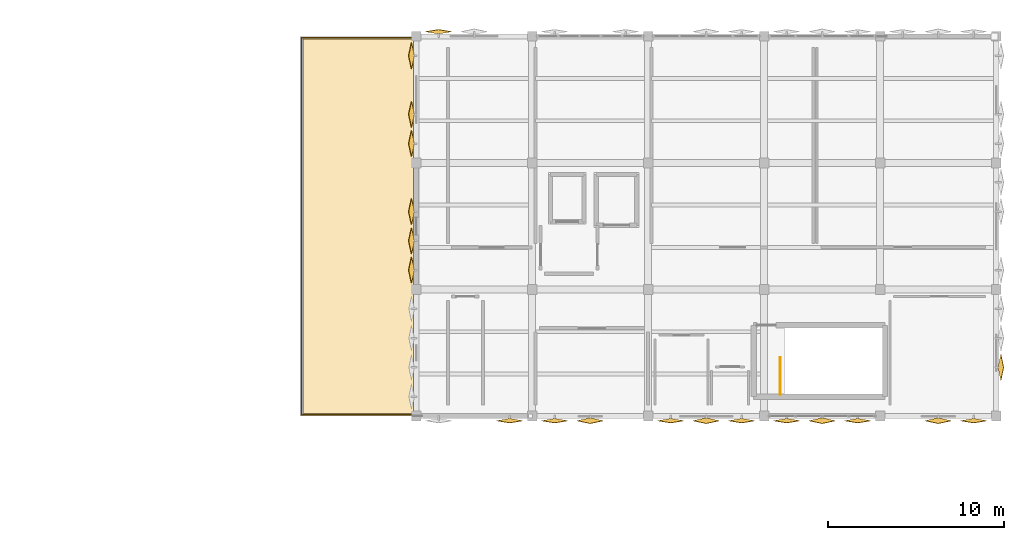
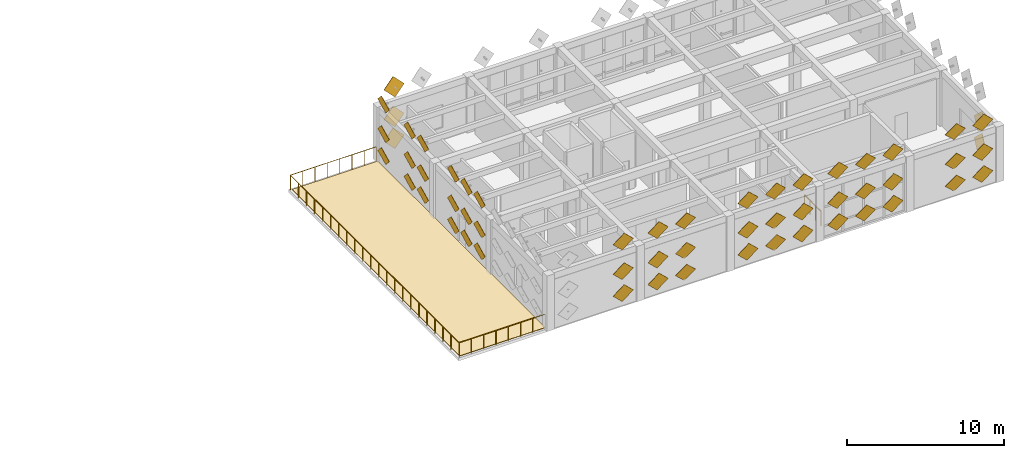
# One storey, part 28 of 29: 57 coverings, 2 railings.
"""IFC4 building model written with IfcOpenShell, lengths in metres."""

from ifc_helpers import new_model, si_unit, direction, frame, origin, origin_2d, place, context, subcontext, project, spatial, polyline, circle, outline, extrude, material, layer, layer_set, type_object, element, save


model = new_model("IFC4")

# Units and contexts
model_context = context("Model", 3, precision=1e-05, world=origin(), true_north=direction((0.0, 1.0)))
body_context = subcontext(model_context, "Body", "Model", "MODEL_VIEW")
ifc_project = project(units=[si_unit("LENGTHUNIT", "METRE"), si_unit("AREAUNIT", "SQUARE_METRE"), si_unit("VOLUMEUNIT", "CUBIC_METRE"), si_unit("PLANEANGLEUNIT", "RADIAN"), si_unit("MASSUNIT", "GRAM", prefix="KILO")], contexts=[model_context])

# Site, building, storey
site_placement = place(None, origin())
site = spatial("IfcSite", under=ifc_project, at=site_placement, CompositionType="ELEMENT")
building_placement = place(site_placement, origin())
building = spatial("IfcBuilding", under=site, at=building_placement, Name="Kharisveld Research Institute", CompositionType="ELEMENT")
storey_placement = place(building_placement, frame((0.0, 0.0, 32.10009765625)))
storey = spatial("IfcBuildingStorey", under=building, at=storey_placement, Name="L07", CompositionType="ELEMENT", Elevation=32.10009765625)

# Covering
ifc_material_1 = material(Name="High-Albedo TPO Roof Membrane", Category="mineral")
ifc_layer = layer(ifc_material_1, 0.034912109375)
ifc_layer_set = layer_set([ifc_layer], Name="CV_ROOF_EPDM")
covering_type_1 = type_object("IfcCoveringType", Name="CV_ROOF_EPDM", PredefinedType="ROOFING", material=ifc_layer_set)
covering_1_placement = place(storey_placement, origin())
element("IfcCovering", 1, at=covering_1_placement, inside=storey, type_object=covering_type_1, Name="COV:V2:L07:TERMEM", PredefinedType="ROOFING", context=body_context, shape_type="SweptSolid", body=[
    extrude(outline(polyline([(121.35009765625, 39.35009765625), (127.64990234375, 39.35009765625), (127.64990234375, 60.64990234375), (121.35009765625, 60.64990234375), (121.35009765625, 39.35009765625)])), origin(), (0.0, 0.0, 1.0), 0.034912109375),
])

# Railings
ifc_material_2 = material(Name="Steel S355JR", Category="steel")
railing_type_1 = type_object("IfcRailingType", Name="RL_GRD_STR", PredefinedType="GUARDRAIL", material=ifc_material_2)
railing_1_placement = place(storey_placement, frame((148.510009765625, 40.429931640625, 0.0)))
element("IfcRailing", 2, at=railing_1_placement, inside=storey, type_object=railing_type_1, Name="RLG:STR:ST3:L07:TOPVOID", PredefinedType="GUARDRAIL", context=body_context, shape_type="SweptSolid", body=[
    extrude(circle(Radius=0.02392578125, at=origin_2d()), frame((0.0, 0.0, 1.09619140625), z_axis=(0.0, 1.0, 0.0), x_axis=(-1.0, 0.0, 0.0)), (0.0, 0.0, 1.0), 2.10009765625),
    extrude(circle(Radius=0.02099609375, at=origin_2d()), origin(), (0.0, 0.0, 1.0), 1.072021484375),
    extrude(circle(Radius=0.02099609375, at=origin_2d()), frame((0.0, 0.699951171875, 0.0)), (0.0, 0.0, 1.0), 1.072021484375),
    extrude(circle(Radius=0.02099609375, at=origin_2d()), frame((0.0, 1.400146484375, 0.0)), (0.0, 0.0, 1.0), 1.072021484375),
    extrude(circle(Radius=0.02099609375, at=origin_2d()), frame((0.0, 2.10009765625, 0.0)), (0.0, 0.0, 1.0), 1.072021484375),
])
ifc_material_3 = material(Name="Steel S355JR", Category="steel")
railing_type_2 = type_object("IfcRailingType", Name="RL_GRD_TER", PredefinedType="GUARDRAIL", material=ifc_material_3)
railing_2_placement = place(storey_placement, frame((127.60009765625, 60.719970703125, 0.0)))
element("IfcRailing", 3, at=railing_2_placement, inside=storey, type_object=railing_type_2, Name="RLG:V2:L07:TERRACE", PredefinedType="GUARDRAIL", context=body_context, shape_type="SweptSolid", body=[
    extrude(circle(Radius=0.02392578125, at=origin_2d()), frame((0.0, 0.0, 1.1259765625), z_axis=(-1.0, 0.0, 0.0), x_axis=(0.0, -1.0, 0.0)), (0.0, 0.0, 1.0), 6.320068359375),
    extrude(circle(Radius=0.02392578125, at=origin_2d()), frame((-6.320068359375, 0.0, 1.1259765625), z_axis=(0.0, -1.0, 0.0), x_axis=(1.0, 0.0, 0.0)), (0.0, 0.0, 1.0), 21.43994140625),
    extrude(circle(Radius=0.02392578125, at=origin_2d()), frame((-6.320068359375, -21.43994140625, 1.1259765625), z_axis=(1.0, 0.0, 0.0), x_axis=(0.0, 1.0, 0.0)), (0.0, 0.0, 1.0), 6.320068359375),
    extrude(circle(Radius=0.02099609375, at=origin_2d()), origin(), (0.0, 0.0, 1.0), 1.101806640625),
    extrude(circle(Radius=0.02099609375, at=origin_2d()), frame((-0.90283203125, 0.0, 0.0)), (0.0, 0.0, 1.0), 1.101806640625),
    extrude(circle(Radius=0.02099609375, at=origin_2d()), frame((-1.8056640625, 0.0, 0.0)), (0.0, 0.0, 1.0), 1.101806640625),
    extrude(circle(Radius=0.02099609375, at=origin_2d()), frame((-2.70849609375, 0.0, 0.0)), (0.0, 0.0, 1.0), 1.101806640625),
    extrude(circle(Radius=0.02099609375, at=origin_2d()), frame((-3.611572265625, 0.0, 0.0)), (0.0, 0.0, 1.0), 1.101806640625),
    extrude(circle(Radius=0.02099609375, at=origin_2d()), frame((-4.514404296875, 0.0, 0.0)), (0.0, 0.0, 1.0), 1.101806640625),
    extrude(circle(Radius=0.02099609375, at=origin_2d()), frame((-5.417236328125, 0.0, 0.0)), (0.0, 0.0, 1.0), 1.101806640625),
    extrude(circle(Radius=0.02099609375, at=origin_2d()), frame((-6.320068359375, 0.0, 0.0)), (0.0, 0.0, 1.0), 1.101806640625),
    extrude(circle(Radius=0.02099609375, at=origin_2d()), frame((-6.320068359375, -1.02099609375, 0.0)), (0.0, 0.0, 1.0), 1.101806640625),
    extrude(circle(Radius=0.02099609375, at=origin_2d()), frame((-6.320068359375, -2.0419921875, 0.0)), (0.0, 0.0, 1.0), 1.101806640625),
    extrude(circle(Radius=0.02099609375, at=origin_2d()), frame((-6.320068359375, -3.062744140625, 0.0)), (0.0, 0.0, 1.0), 1.101806640625),
    extrude(circle(Radius=0.02099609375, at=origin_2d()), frame((-6.320068359375, -4.083740234375, 0.0)), (0.0, 0.0, 1.0), 1.101806640625),
    extrude(circle(Radius=0.02099609375, at=origin_2d()), frame((-6.320068359375, -5.104736328125, 0.0)), (0.0, 0.0, 1.0), 1.101806640625),
    extrude(circle(Radius=0.02099609375, at=origin_2d()), frame((-6.320068359375, -6.125732421875, 0.0)), (0.0, 0.0, 1.0), 1.101806640625),
    extrude(circle(Radius=0.02099609375, at=origin_2d()), frame((-6.320068359375, -7.146728515625, 0.0)), (0.0, 0.0, 1.0), 1.101806640625),
    extrude(circle(Radius=0.02099609375, at=origin_2d()), frame((-6.320068359375, -8.16748046875, 0.0)), (0.0, 0.0, 1.0), 1.101806640625),
    extrude(circle(Radius=0.02099609375, at=origin_2d()), frame((-6.320068359375, -9.1884765625, 0.0)), (0.0, 0.0, 1.0), 1.101806640625),
    extrude(circle(Radius=0.02099609375, at=origin_2d()), frame((-6.320068359375, -10.20947265625, 0.0)), (0.0, 0.0, 1.0), 1.101806640625),
    extrude(circle(Radius=0.02099609375, at=origin_2d()), frame((-6.320068359375, -11.23046875, 0.0)), (0.0, 0.0, 1.0), 1.101806640625),
    extrude(circle(Radius=0.02099609375, at=origin_2d()), frame((-6.320068359375, -12.25146484375, 0.0)), (0.0, 0.0, 1.0), 1.101806640625),
    extrude(circle(Radius=0.02099609375, at=origin_2d()), frame((-6.320068359375, -13.2724609375, 0.0)), (0.0, 0.0, 1.0), 1.101806640625),
    extrude(circle(Radius=0.02099609375, at=origin_2d()), frame((-6.320068359375, -14.293212890625, 0.0)), (0.0, 0.0, 1.0), 1.101806640625),
    extrude(circle(Radius=0.02099609375, at=origin_2d()), frame((-6.320068359375, -15.314208984375, 0.0)), (0.0, 0.0, 1.0), 1.101806640625),
    extrude(circle(Radius=0.02099609375, at=origin_2d()), frame((-6.320068359375, -16.335205078125, 0.0)), (0.0, 0.0, 1.0), 1.101806640625),
    extrude(circle(Radius=0.02099609375, at=origin_2d()), frame((-6.320068359375, -17.356201171875, 0.0)), (0.0, 0.0, 1.0), 1.101806640625),
    extrude(circle(Radius=0.02099609375, at=origin_2d()), frame((-6.320068359375, -18.377197265625, 0.0)), (0.0, 0.0, 1.0), 1.101806640625),
    extrude(circle(Radius=0.02099609375, at=origin_2d()), frame((-6.320068359375, -19.39794921875, 0.0)), (0.0, 0.0, 1.0), 1.101806640625),
    extrude(circle(Radius=0.02099609375, at=origin_2d()), frame((-6.320068359375, -20.4189453125, 0.0)), (0.0, 0.0, 1.0), 1.101806640625),
    extrude(circle(Radius=0.02099609375, at=origin_2d()), frame((-6.320068359375, -21.43994140625, 0.0)), (0.0, 0.0, 1.0), 1.101806640625),
    extrude(circle(Radius=0.02099609375, at=origin_2d()), frame((-5.417236328125, -21.43994140625, 0.0)), (0.0, 0.0, 1.0), 1.101806640625),
    extrude(circle(Radius=0.02099609375, at=origin_2d()), frame((-4.514404296875, -21.43994140625, 0.0)), (0.0, 0.0, 1.0), 1.101806640625),
    extrude(circle(Radius=0.02099609375, at=origin_2d()), frame((-3.611572265625, -21.43994140625, 0.0)), (0.0, 0.0, 1.0), 1.101806640625),
    extrude(circle(Radius=0.02099609375, at=origin_2d()), frame((-2.70849609375, -21.43994140625, 0.0)), (0.0, 0.0, 1.0), 1.101806640625),
    extrude(circle(Radius=0.02099609375, at=origin_2d()), frame((-1.8056640625, -21.43994140625, 0.0)), (0.0, 0.0, 1.0), 1.101806640625),
    extrude(circle(Radius=0.02099609375, at=origin_2d()), frame((-0.90283203125, -21.43994140625, 0.0)), (0.0, 0.0, 1.0), 1.101806640625),
    extrude(circle(Radius=0.02099609375, at=origin_2d()), frame((0.0, -21.43994140625, 0.0)), (0.0, 0.0, 1.0), 1.101806640625),
])

# Coverings
ifc_material_4 = material(Name="White Powder-Coated Perforated Aluminium", Category="aluminium")
covering_type_2 = type_object("IfcCoveringType", Name="CV_DIA_105", PredefinedType="CLADDING")
for number, where, z_axis, x_axis, name in (
    (4, (127.70068359375, 47.50244140625, 0.324951171875), (0.97631069788, 0.0, 0.216373337556), (-0.153000063457, 0.707102116981, 0.6903604687), "SHD:V2:L07:W1:S0C0"),
    (5, (127.70068359375, 47.50244140625, 2.025146484375), (0.97631069788, 0.0, 0.216373337556), (-0.153000063457, 0.707102116981, 0.6903604687), "SHD:V2:L07:W1:S0C1"),
    (6, (127.70068359375, 47.50244140625, 4.324951171875), (0.97631069788, 0.0, 0.216373337556), (-0.153000063457, 0.707102116981, 0.6903604687), "SHD:V2:L07:W1:S0C2"),
    (7, (127.70068359375, 49.16748046875, 0.324951171875), (0.97631069788, 0.0, 0.216373337556), (-0.153000063457, 0.707102116981, 0.6903604687), "SHD:V2:L07:W1:S1C0"),
    (8, (127.70068359375, 49.16748046875, 2.025146484375), (0.97631069788, 0.0, 0.216373337556), (-0.153000063457, 0.707102116981, 0.6903604687), "SHD:V2:L07:W1:S1C1"),
    (9, (127.70068359375, 49.16748046875, 4.324951171875), (0.97631069788, 0.0, 0.216373337556), (-0.153000063457, 0.707102116981, 0.6903604687), "SHD:V2:L07:W1:S1C2"),
    (10, (127.70068359375, 50.83251953125, 0.324951171875), (0.97631069788, 0.0, 0.216373337556), (-0.153000063457, 0.707102116981, 0.6903604687), "SHD:V2:L07:W1:S2C0"),
    (11, (127.70068359375, 50.83251953125, 2.025146484375), (0.97631069788, 0.0, 0.216373337556), (-0.153000063457, 0.707102116981, 0.6903604687), "SHD:V2:L07:W1:S2C1"),
    (12, (127.70068359375, 50.83251953125, 4.324951171875), (0.97631069788, 0.0, 0.216373337556), (-0.153000063457, 0.707102116981, 0.6903604687), "SHD:V2:L07:W1:S2C2"),
):
    element("IfcCovering", number, at=place(storey_placement, frame(where, z_axis=z_axis, x_axis=x_axis)), inside=storey, type_object=covering_type_2, material=ifc_material_4, Name=name, PredefinedType="CLADDING", context=body_context, shape_type="SweptSolid", body=[
        extrude(outline(polyline([(0.0, 0.0), (1.0499638210603182, 0.0), (1.0499776725217052, 1.0499638209689517), (1.3851461386993336e-05, 1.0499638209689517), (0.0, 0.0)])), origin(), (0.0, 0.0, -1.0), 0.02392578125),
    ])
for number, where, z_axis, x_axis, name in (
    (13, (127.70068359375, 54.702392578125, 0.324951171875), (0.97631069788, 0.0, 0.216373337556), (-0.152974909648, 0.707218351292, 0.690246970738), "SHD:V2:L07:W2:S0C0"),
    (14, (127.70068359375, 54.702392578125, 2.025146484375), (0.97631069788, 0.0, 0.216373337556), (-0.152974909648, 0.707218351292, 0.690246970738), "SHD:V2:L07:W2:S0C1"),
    (15, (127.70068359375, 54.702392578125, 4.324951171875), (0.97631069788, 0.0, 0.216373337556), (-0.152974909648, 0.707218351292, 0.690246970738), "SHD:V2:L07:W2:S0C2"),
):
    element("IfcCovering", number, at=place(storey_placement, frame(where, z_axis=z_axis, x_axis=x_axis)), inside=storey, type_object=covering_type_2, material=ifc_material_4, Name=name, PredefinedType="CLADDING", context=body_context, shape_type="SweptSolid", body=[
        extrude(outline(polyline([(0.0, 0.0), (1.0501364676030216, 1.1102230246251565e-16), (1.0498050520855338, 1.0501364153068435), (-0.00015875478719196146, 1.0499638090584367), (0.0, 0.0)])), origin(), (0.0, 0.0, -1.0), 0.02392578125),
    ])
for number, where, z_axis, x_axis, name in (
    (16, (127.70068359375, 56.367431640625, 0.324951171875), (0.97631069788, 0.0, 0.216373337556), (-0.153000063457, 0.707102116981, 0.6903604687), "SHD:V2:L07:W2:S1C0"),
    (17, (127.70068359375, 56.367431640625, 2.025146484375), (0.97631069788, 0.0, 0.216373337556), (-0.153000063457, 0.707102116981, 0.6903604687), "SHD:V2:L07:W2:S1C1"),
    (18, (127.70068359375, 56.367431640625, 4.324951171875), (0.97631069788, 0.0, 0.216373337556), (-0.153000063457, 0.707102116981, 0.6903604687), "SHD:V2:L07:W2:S1C2"),
    (19, (127.70068359375, 59.697509765625, 0.324951171875), (0.97631069788, 0.0, 0.216373337556), (-0.153000063457, 0.707102116981, 0.6903604687), "SHD:V2:L07:W2:S3C0"),
    (20, (127.70068359375, 59.697509765625, 2.025146484375), (0.97631069788, 0.0, 0.216373337556), (-0.153000063457, 0.707102116981, 0.6903604687), "SHD:V2:L07:W2:S3C1"),
    (21, (127.70068359375, 59.697509765625, 4.324951171875), (0.97631069788, 0.0, 0.216373337556), (-0.153000063457, 0.707102116981, 0.6903604687), "SHD:V2:L07:W2:S3C2"),
):
    element("IfcCovering", number, at=place(storey_placement, frame(where, z_axis=z_axis, x_axis=x_axis)), inside=storey, type_object=covering_type_2, material=ifc_material_4, Name=name, PredefinedType="CLADDING", context=body_context, shape_type="SweptSolid", body=[
        extrude(outline(polyline([(0.0, 0.0), (1.0499638210603182, 0.0), (1.0499776725217052, 1.0499638209689517), (1.3851461386993336e-05, 1.0499638209689517), (0.0, 0.0)])), origin(), (0.0, 0.0, -1.0), 0.02392578125),
    ])
covering_2_placement = place(storey_placement, frame((129.080078125, 60.9375, 0.317626953125), z_axis=(0.0, -0.986282612269, 0.165065468031), x_axis=(0.707138821552, 0.116713622787, 0.697375521014)))
element("IfcCovering", 22, at=covering_2_placement, inside=storey, type_object=covering_type_2, material=ifc_material_4, Name="SHD:V2:L07:N2:S0C0", PredefinedType="CLADDING", context=body_context, shape_type="SweptSolid", body=[
    extrude(outline(polyline([(0.0, 0.0), (1.049909321899567, 0.0), (1.0499844306250534, 1.0500795907141018), (-9.51489700736774e-05, 1.049909317588087), (0.0, 0.0)])), origin(), (0.0, 0.0, -1.0), 0.02392578125),
])
covering_3_placement = place(storey_placement, frame((129.080078125, 60.9375, 2.017578125), z_axis=(0.0, -0.986282612269, 0.165065468031), x_axis=(0.707024158255, 0.116732548384, 0.697488603341)))
element("IfcCovering", 23, at=covering_3_placement, inside=storey, type_object=covering_type_2, material=ifc_material_4, Name="SHD:V2:L07:N2:S0C1", PredefinedType="CLADDING", context=body_context, shape_type="SweptSolid", body=[
    extrude(outline(polyline([(0.0, 0.0), (1.0500795934002414, -1.1102230246251565e-16), (1.0501546899467695, 1.0499093192138629), (0.0002453818500782745, 1.0500795647299133), (0.0, 0.0)])), origin(), (0.0, 0.0, -1.0), 0.02392578125),
])
covering_4_placement = place(storey_placement, frame((129.080078125, 60.9375, 4.317626953125), z_axis=(0.0, -0.986282612269, 0.165065468031), x_axis=(0.707138821552, 0.116713622787, 0.697375521014)))
element("IfcCovering", 24, at=covering_4_placement, inside=storey, type_object=covering_type_2, material=ifc_material_4, Name="SHD:V2:L07:N2:S0C2", PredefinedType="CLADDING", context=body_context, shape_type="SweptSolid", body=[
    extrude(outline(polyline([(0.0, 0.0), (1.049909321899567, 0.0), (1.0499844306250534, 1.0500795907141018), (-9.51489700736774e-05, 1.049909317588087), (0.0, 0.0)])), origin(), (0.0, 0.0, -1.0), 0.02392578125),
])
for number, where, z_axis, x_axis, name in (
    (25, (160.8994140625, 41.967529296875, 0.324951171875), (-0.97631069788, 0.0, 0.216373337556), (0.153000063457, -0.707102116981, 0.6903604687), "SHD:V2:L07:E1:S2C0"),
    (26, (160.8994140625, 41.967529296875, 2.025146484375), (-0.97631069788, 0.0, 0.216373337556), (0.153000063457, -0.707102116981, 0.6903604687), "SHD:V2:L07:E1:S2C1"),
):
    element("IfcCovering", number, at=place(storey_placement, frame(where, z_axis=z_axis, x_axis=x_axis)), inside=storey, type_object=covering_type_2, material=ifc_material_4, Name=name, PredefinedType="CLADDING", context=body_context, shape_type="SweptSolid", body=[
        extrude(outline(polyline([(0.0, 0.0), (1.0499638210603182, 0.0), (1.0499776725217052, 1.0499638209689517), (1.3851461386993336e-05, 1.0499638209689517), (0.0, 0.0)])), origin(), (0.0, 0.0, -1.0), 0.02392578125),
    ])
covering_5_placement = place(storey_placement, frame((159.52001953125, 39.0625, 0.317626953125), z_axis=(0.0, 0.986282612269, 0.165065468031), x_axis=(-0.707138821552, -0.116713622787, 0.697375521014)))
element("IfcCovering", 27, at=covering_5_placement, inside=storey, type_object=covering_type_2, material=ifc_material_4, Name="SHD:V2:L07:S7:S0C0", PredefinedType="CLADDING", context=body_context, shape_type="SweptSolid", body=[
    extrude(outline(polyline([(0.0, 0.0), (1.049909321899567, 0.0), (1.0499844306250534, 1.0500795907141018), (-9.51489700736774e-05, 1.049909317588087), (0.0, 0.0)])), origin(), (0.0, 0.0, -1.0), 0.02392578125),
])
covering_6_placement = place(storey_placement, frame((159.52001953125, 39.0625, 2.017578125), z_axis=(0.0, 0.986282612269, 0.165065468031), x_axis=(-0.707024158255, -0.116732548384, 0.697488603341)))
element("IfcCovering", 28, at=covering_6_placement, inside=storey, type_object=covering_type_2, material=ifc_material_4, Name="SHD:V2:L07:S7:S0C1", PredefinedType="CLADDING", context=body_context, shape_type="SweptSolid", body=[
    extrude(outline(polyline([(0.0, 0.0), (1.0500795934002414, -1.1102230246251565e-16), (1.0501546899467695, 1.0499093192138629), (0.0002453818500782745, 1.0500795647299133), (0.0, 0.0)])), origin(), (0.0, 0.0, -1.0), 0.02392578125),
])
covering_7_placement = place(storey_placement, frame((159.52001953125, 39.0625, 4.317626953125), z_axis=(0.0, 0.986282612269, 0.165065468031), x_axis=(-0.707138821552, -0.116713622787, 0.697375521014)))
element("IfcCovering", 29, at=covering_7_placement, inside=storey, type_object=covering_type_2, material=ifc_material_4, Name="SHD:V2:L07:S7:S0C2", PredefinedType="CLADDING", context=body_context, shape_type="SweptSolid", body=[
    extrude(outline(polyline([(0.0, 0.0), (1.049909321899567, 0.0), (1.0499844306250534, 1.0500795907141018), (-9.51489700736774e-05, 1.049909317588087), (0.0, 0.0)])), origin(), (0.0, 0.0, -1.0), 0.02392578125),
])
for number, where, z_axis, x_axis, name in (
    (30, (157.5, 39.1005859375, 0.324951171875), (0.0, 0.97631069788, 0.216373337556), (-0.707102116981, -0.153000063457, 0.6903604687), "SHD:V2:L07:S7:S1C0"),
    (31, (157.5, 39.1005859375, 2.025146484375), (0.0, 0.97631069788, 0.216373337556), (-0.707102116981, -0.153000063457, 0.6903604687), "SHD:V2:L07:S7:S1C1"),
    (32, (157.5, 39.1005859375, 4.324951171875), (0.0, 0.97631069788, 0.216373337556), (-0.707102116981, -0.153000063457, 0.6903604687), "SHD:V2:L07:S7:S1C2"),
):
    element("IfcCovering", number, at=place(storey_placement, frame(where, z_axis=z_axis, x_axis=x_axis)), inside=storey, type_object=covering_type_2, material=ifc_material_4, Name=name, PredefinedType="CLADDING", context=body_context, shape_type="SweptSolid", body=[
        extrude(outline(polyline([(0.0, 0.0), (1.0499638210603182, 0.0), (1.0499776725217052, 1.0499638209689517), (1.3851461386993336e-05, 1.0499638209689517), (0.0, 0.0)])), origin(), (0.0, 0.0, -1.0), 0.02392578125),
    ])
covering_8_placement = place(storey_placement, frame((152.919921875, 39.0625, 0.317626953125), z_axis=(0.0, 0.986282612269, 0.165065468031), x_axis=(-0.707138821552, -0.116713622787, 0.697375521014)))
element("IfcCovering", 33, at=covering_8_placement, inside=storey, type_object=covering_type_2, material=ifc_material_4, Name="SHD:V2:L07:S6:S0C0", PredefinedType="CLADDING", context=body_context, shape_type="SweptSolid", body=[
    extrude(outline(polyline([(0.0, 0.0), (1.049909321899567, 0.0), (1.0499844306250534, 1.0500795907141018), (-9.51489700736774e-05, 1.049909317588087), (0.0, 0.0)])), origin(), (0.0, 0.0, -1.0), 0.02392578125),
])
covering_9_placement = place(storey_placement, frame((152.919921875, 39.0625, 2.017578125), z_axis=(0.0, 0.986282612269, 0.165065468031), x_axis=(-0.707024158255, -0.116732548384, 0.697488603341)))
element("IfcCovering", 34, at=covering_9_placement, inside=storey, type_object=covering_type_2, material=ifc_material_4, Name="SHD:V2:L07:S6:S0C1", PredefinedType="CLADDING", context=body_context, shape_type="SweptSolid", body=[
    extrude(outline(polyline([(0.0, 0.0), (1.0500795934002414, -1.1102230246251565e-16), (1.0501546899467695, 1.0499093192138629), (0.0002453818500782745, 1.0500795647299133), (0.0, 0.0)])), origin(), (0.0, 0.0, -1.0), 0.02392578125),
])
covering_10_placement = place(storey_placement, frame((152.919921875, 39.0625, 4.317626953125), z_axis=(0.0, 0.986282612269, 0.165065468031), x_axis=(-0.707138821552, -0.116713622787, 0.697375521014)))
element("IfcCovering", 35, at=covering_10_placement, inside=storey, type_object=covering_type_2, material=ifc_material_4, Name="SHD:V2:L07:S6:S0C2", PredefinedType="CLADDING", context=body_context, shape_type="SweptSolid", body=[
    extrude(outline(polyline([(0.0, 0.0), (1.049909321899567, 0.0), (1.0499844306250534, 1.0500795907141018), (-9.51489700736774e-05, 1.049909317588087), (0.0, 0.0)])), origin(), (0.0, 0.0, -1.0), 0.02392578125),
])
for number, where, z_axis, x_axis, name in (
    (36, (150.89990234375, 39.1005859375, 0.324951171875), (0.0, 0.97631069788, 0.216373337556), (-0.707102116981, -0.153000063457, 0.6903604687), "SHD:V2:L07:S6:S1C0"),
    (37, (150.89990234375, 39.1005859375, 2.025146484375), (0.0, 0.97631069788, 0.216373337556), (-0.707102116981, -0.153000063457, 0.6903604687), "SHD:V2:L07:S6:S1C1"),
    (38, (150.89990234375, 39.1005859375, 4.324951171875), (0.0, 0.97631069788, 0.216373337556), (-0.707102116981, -0.153000063457, 0.6903604687), "SHD:V2:L07:S6:S1C2"),
):
    element("IfcCovering", number, at=place(storey_placement, frame(where, z_axis=z_axis, x_axis=x_axis)), inside=storey, type_object=covering_type_2, material=ifc_material_4, Name=name, PredefinedType="CLADDING", context=body_context, shape_type="SweptSolid", body=[
        extrude(outline(polyline([(0.0, 0.0), (1.0499638210603182, 0.0), (1.0499776725217052, 1.0499638209689517), (-0.00015878089139154117, 1.050136455599167), (0.0, 0.0)])), origin(), (0.0, 0.0, -1.0), 0.02392578125),
    ])
covering_11_placement = place(storey_placement, frame((148.8798828125, 39.0625, 0.317626953125), z_axis=(0.0, 0.986282612269, 0.165065468031), x_axis=(-0.707138821552, -0.116713622787, 0.697375521014)))
element("IfcCovering", 39, at=covering_11_placement, inside=storey, type_object=covering_type_2, material=ifc_material_4, Name="SHD:V2:L07:S6:S2C0", PredefinedType="CLADDING", context=body_context, shape_type="SweptSolid", body=[
    extrude(outline(polyline([(0.0, 0.0), (1.049909321899567, 0.0), (1.0499844306250534, 1.0500795907141018), (-0.0002677902839293145, 1.0500819432568782), (0.0, 0.0)])), origin(), (0.0, 0.0, -1.0), 0.02392578125),
])
covering_12_placement = place(storey_placement, frame((148.8798828125, 39.0625, 2.017578125), z_axis=(0.0, 0.986282612269, 0.165065468031), x_axis=(-0.707024158255, -0.116732548384, 0.697488603341)))
element("IfcCovering", 40, at=covering_12_placement, inside=storey, type_object=covering_type_2, material=ifc_material_4, Name="SHD:V2:L07:S6:S2C1", PredefinedType="CLADDING", context=body_context, shape_type="SweptSolid", body=[
    extrude(outline(polyline([(0.0, 0.0), (1.0500795934002414, -1.1102230246251565e-16), (1.0501546899467695, 1.0499093192138629), (7.276853019166918e-05, 1.050252218390671), (0.0, 0.0)])), origin(), (0.0, 0.0, -1.0), 0.02392578125),
])
covering_13_placement = place(storey_placement, frame((148.8798828125, 39.0625, 4.317626953125), z_axis=(0.0, 0.986282612269, 0.165065468031), x_axis=(-0.707138821552, -0.116713622787, 0.697375521014)))
element("IfcCovering", 41, at=covering_13_placement, inside=storey, type_object=covering_type_2, material=ifc_material_4, Name="SHD:V2:L07:S6:S2C2", PredefinedType="CLADDING", context=body_context, shape_type="SweptSolid", body=[
    extrude(outline(polyline([(0.0, 0.0), (1.049909321899567, 0.0), (1.0499844306250534, 1.0500795907141018), (-0.0002677902839293145, 1.0500819432568782), (0.0, 0.0)])), origin(), (0.0, 0.0, -1.0), 0.02392578125),
])
covering_14_placement = place(storey_placement, frame((146.320068359375, 39.0625, 0.317626953125), z_axis=(0.0, 0.986282612269, 0.165065468031), x_axis=(-0.707138821552, -0.116713622787, 0.697375521014)))
element("IfcCovering", 42, at=covering_14_placement, inside=storey, type_object=covering_type_2, material=ifc_material_4, Name="SHD:V2:L07:S5:S0C0", PredefinedType="CLADDING", context=body_context, shape_type="SweptSolid", body=[
    extrude(outline(polyline([(0.0, 0.0), (1.049909321899567, 0.0), (1.0499844306250534, 1.0500795907141018), (-9.51489700736774e-05, 1.049909317588087), (0.0, 0.0)])), origin(), (0.0, 0.0, -1.0), 0.02392578125),
])
covering_15_placement = place(storey_placement, frame((146.320068359375, 39.0625, 2.017578125), z_axis=(0.0, 0.986282612269, 0.165065468031), x_axis=(-0.707024158255, -0.116732548384, 0.697488603341)))
element("IfcCovering", 43, at=covering_15_placement, inside=storey, type_object=covering_type_2, material=ifc_material_4, Name="SHD:V2:L07:S5:S0C1", PredefinedType="CLADDING", context=body_context, shape_type="SweptSolid", body=[
    extrude(outline(polyline([(0.0, 0.0), (1.0500795934002414, -1.1102230246251565e-16), (1.0501546899467695, 1.0499093192138629), (0.0002453818500782745, 1.0500795647299133), (0.0, 0.0)])), origin(), (0.0, 0.0, -1.0), 0.02392578125),
])
covering_16_placement = place(storey_placement, frame((146.320068359375, 39.0625, 4.317626953125), z_axis=(0.0, 0.986282612269, 0.165065468031), x_axis=(-0.707138821552, -0.116713622787, 0.697375521014)))
element("IfcCovering", 44, at=covering_16_placement, inside=storey, type_object=covering_type_2, material=ifc_material_4, Name="SHD:V2:L07:S5:S0C2", PredefinedType="CLADDING", context=body_context, shape_type="SweptSolid", body=[
    extrude(outline(polyline([(0.0, 0.0), (1.049909321899567, 0.0), (1.0499844306250534, 1.0500795907141018), (-9.51489700736774e-05, 1.049909317588087), (0.0, 0.0)])), origin(), (0.0, 0.0, -1.0), 0.02392578125),
])
for number, where, z_axis, x_axis, name in (
    (45, (144.300048828125, 39.1005859375, 0.324951171875), (0.0, 0.97631069788, 0.216373337556), (-0.707102116981, -0.153000063457, 0.6903604687), "SHD:V2:L07:S5:S1C0"),
    (46, (144.300048828125, 39.1005859375, 2.025146484375), (0.0, 0.97631069788, 0.216373337556), (-0.707102116981, -0.153000063457, 0.6903604687), "SHD:V2:L07:S5:S1C1"),
    (47, (144.300048828125, 39.1005859375, 4.324951171875), (0.0, 0.97631069788, 0.216373337556), (-0.707102116981, -0.153000063457, 0.6903604687), "SHD:V2:L07:S5:S1C2"),
):
    element("IfcCovering", number, at=place(storey_placement, frame(where, z_axis=z_axis, x_axis=x_axis)), inside=storey, type_object=covering_type_2, material=ifc_material_4, Name=name, PredefinedType="CLADDING", context=body_context, shape_type="SweptSolid", body=[
        extrude(outline(polyline([(0.0, 0.0), (1.0499638210603182, 0.0), (1.0499776725217052, 1.0499638209689517), (1.3851461386993336e-05, 1.0499638209689517), (0.0, 0.0)])), origin(), (0.0, 0.0, -1.0), 0.02392578125),
    ])
covering_17_placement = place(storey_placement, frame((142.280029296875, 39.0625, 0.317626953125), z_axis=(0.0, 0.986282612269, 0.165065468031), x_axis=(-0.707138821552, -0.116713622787, 0.697375521014)))
element("IfcCovering", 48, at=covering_17_placement, inside=storey, type_object=covering_type_2, material=ifc_material_4, Name="SHD:V2:L07:S5:S2C0", PredefinedType="CLADDING", context=body_context, shape_type="SweptSolid", body=[
    extrude(outline(polyline([(0.0, 0.0), (1.049909321899567, 0.0), (1.0499844306250534, 1.0500795907141018), (-9.51489700736774e-05, 1.049909317588087), (0.0, 0.0)])), origin(), (0.0, 0.0, -1.0), 0.02392578125),
])
covering_18_placement = place(storey_placement, frame((142.280029296875, 39.0625, 2.017578125), z_axis=(0.0, 0.986282612269, 0.165065468031), x_axis=(-0.707024158255, -0.116732548384, 0.697488603341)))
element("IfcCovering", 49, at=covering_18_placement, inside=storey, type_object=covering_type_2, material=ifc_material_4, Name="SHD:V2:L07:S5:S2C1", PredefinedType="CLADDING", context=body_context, shape_type="SweptSolid", body=[
    extrude(outline(polyline([(0.0, 0.0), (1.0500795934002414, -1.1102230246251565e-16), (1.0501546899467695, 1.0499093192138629), (0.0002453818500782745, 1.0500795647299133), (0.0, 0.0)])), origin(), (0.0, 0.0, -1.0), 0.02392578125),
])
covering_19_placement = place(storey_placement, frame((142.280029296875, 39.0625, 4.317626953125), z_axis=(0.0, 0.986282612269, 0.165065468031), x_axis=(-0.707138821552, -0.116713622787, 0.697375521014)))
element("IfcCovering", 50, at=covering_19_placement, inside=storey, type_object=covering_type_2, material=ifc_material_4, Name="SHD:V2:L07:S5:S2C2", PredefinedType="CLADDING", context=body_context, shape_type="SweptSolid", body=[
    extrude(outline(polyline([(0.0, 0.0), (1.049909321899567, 0.0), (1.0499844306250534, 1.0500795907141018), (-9.51489700736774e-05, 1.049909317588087), (0.0, 0.0)])), origin(), (0.0, 0.0, -1.0), 0.02392578125),
])
for number, where, z_axis, x_axis, name in (
    (51, (137.699951171875, 39.1005859375, 0.324951171875), (0.0, 0.97631069788, 0.216373337556), (-0.707102116981, -0.153000063457, 0.6903604687), "SHD:V2:L07:S4:S1C0"),
    (52, (137.699951171875, 39.1005859375, 2.025146484375), (0.0, 0.97631069788, 0.216373337556), (-0.707102116981, -0.153000063457, 0.6903604687), "SHD:V2:L07:S4:S1C1"),
    (53, (137.699951171875, 39.1005859375, 4.324951171875), (0.0, 0.97631069788, 0.216373337556), (-0.707102116981, -0.153000063457, 0.6903604687), "SHD:V2:L07:S4:S1C2"),
):
    element("IfcCovering", number, at=place(storey_placement, frame(where, z_axis=z_axis, x_axis=x_axis)), inside=storey, type_object=covering_type_2, material=ifc_material_4, Name=name, PredefinedType="CLADDING", context=body_context, shape_type="SweptSolid", body=[
        extrude(outline(polyline([(0.0, 0.0), (1.0499638210603182, 0.0), (1.0499776725217052, 1.0499638209689517), (1.3851461386993336e-05, 1.0499638209689517), (0.0, 0.0)])), origin(), (0.0, 0.0, -1.0), 0.02392578125),
    ])
covering_20_placement = place(storey_placement, frame((135.679931640625, 39.0625, 0.317626953125), z_axis=(0.0, 0.986282612269, 0.165065468031), x_axis=(-0.707138821552, -0.116713622787, 0.697375521014)))
element("IfcCovering", 54, at=covering_20_placement, inside=storey, type_object=covering_type_2, material=ifc_material_4, Name="SHD:V2:L07:S4:S2C0", PredefinedType="CLADDING", context=body_context, shape_type="SweptSolid", body=[
    extrude(outline(polyline([(0.0, 0.0), (1.049909321899567, 0.0), (1.0499844306250534, 1.0500795907141018), (-9.51489700736774e-05, 1.049909317588087), (0.0, 0.0)])), origin(), (0.0, 0.0, -1.0), 0.02392578125),
])
covering_21_placement = place(storey_placement, frame((135.679931640625, 39.0625, 2.017578125), z_axis=(0.0, 0.986282612269, 0.165065468031), x_axis=(-0.707024158255, -0.116732548384, 0.697488603341)))
element("IfcCovering", 55, at=covering_21_placement, inside=storey, type_object=covering_type_2, material=ifc_material_4, Name="SHD:V2:L07:S4:S2C1", PredefinedType="CLADDING", context=body_context, shape_type="SweptSolid", body=[
    extrude(outline(polyline([(0.0, 0.0), (1.0500795934002414, -1.1102230246251565e-16), (1.0501546899467695, 1.0499093192138629), (0.0002453818500782745, 1.0500795647299133), (0.0, 0.0)])), origin(), (0.0, 0.0, -1.0), 0.02392578125),
])
covering_22_placement = place(storey_placement, frame((135.679931640625, 39.0625, 4.317626953125), z_axis=(0.0, 0.986282612269, 0.165065468031), x_axis=(-0.707138821552, -0.116713622787, 0.697375521014)))
element("IfcCovering", 56, at=covering_22_placement, inside=storey, type_object=covering_type_2, material=ifc_material_4, Name="SHD:V2:L07:S4:S2C2", PredefinedType="CLADDING", context=body_context, shape_type="SweptSolid", body=[
    extrude(outline(polyline([(0.0, 0.0), (1.049909321899567, 0.0), (1.0499844306250534, 1.0500795907141018), (-9.51489700736774e-05, 1.049909317588087), (0.0, 0.0)])), origin(), (0.0, 0.0, -1.0), 0.02392578125),
])
covering_23_placement = place(storey_placement, frame((133.1201171875, 39.0625, 0.317626953125), z_axis=(0.0, 0.986282612269, 0.165065468031), x_axis=(-0.707255049827, -0.116694432619, 0.69726085785)))
element("IfcCovering", 57, at=covering_23_placement, inside=storey, type_object=covering_type_2, material=ifc_material_4, Name="SHD:V2:L07:S3:S0C0", PredefinedType="CLADDING", context=body_context, shape_type="SweptSolid", body=[
    extrude(outline(polyline([(0.0, 0.0), (1.0500819774026109, 1.1102230246251565e-16), (1.0498117911607456, 1.050252186157772), (-0.00026774625358971793, 1.0499092877594485), (0.0, 0.0)])), origin(), (0.0, 0.0, -1.0), 0.02392578125),
])
covering_24_placement = place(storey_placement, frame((133.1201171875, 39.0625, 2.017578125), z_axis=(0.0, 0.986282612269, 0.165065468031), x_axis=(-0.707140405383, -0.116713361327, 0.697373958764)))
element("IfcCovering", 58, at=covering_24_placement, inside=storey, type_object=covering_type_2, material=ifc_material_4, Name="SHD:V2:L07:S3:S0C1", PredefinedType="CLADDING", context=body_context, shape_type="SweptSolid", body=[
    extrude(outline(polyline([(0.0, 0.0), (1.0502522209116176, -1.1102230246251565e-16), (1.049982078466331, 1.0500819426543992), (7.275656939786934e-05, 1.0500795908797094), (0.0, 0.0)])), origin(), (0.0, 0.0, -1.0), 0.02392578125),
])
covering_25_placement = place(storey_placement, frame((133.1201171875, 39.0625, 4.317626953125), z_axis=(0.0, 0.986282612269, 0.165065468031), x_axis=(-0.707255049827, -0.116694432619, 0.69726085785)))
element("IfcCovering", 59, at=covering_25_placement, inside=storey, type_object=covering_type_2, material=ifc_material_4, Name="SHD:V2:L07:S3:S0C2", PredefinedType="CLADDING", context=body_context, shape_type="SweptSolid", body=[
    extrude(outline(polyline([(0.0, 0.0), (1.0500819774026109, 1.1102230246251565e-16), (1.0498117911607456, 1.050252186157772), (-0.00026774625358971793, 1.0499092877594485), (0.0, 0.0)])), origin(), (0.0, 0.0, -1.0), 0.02392578125),
])

save(model, "model.ifc")
